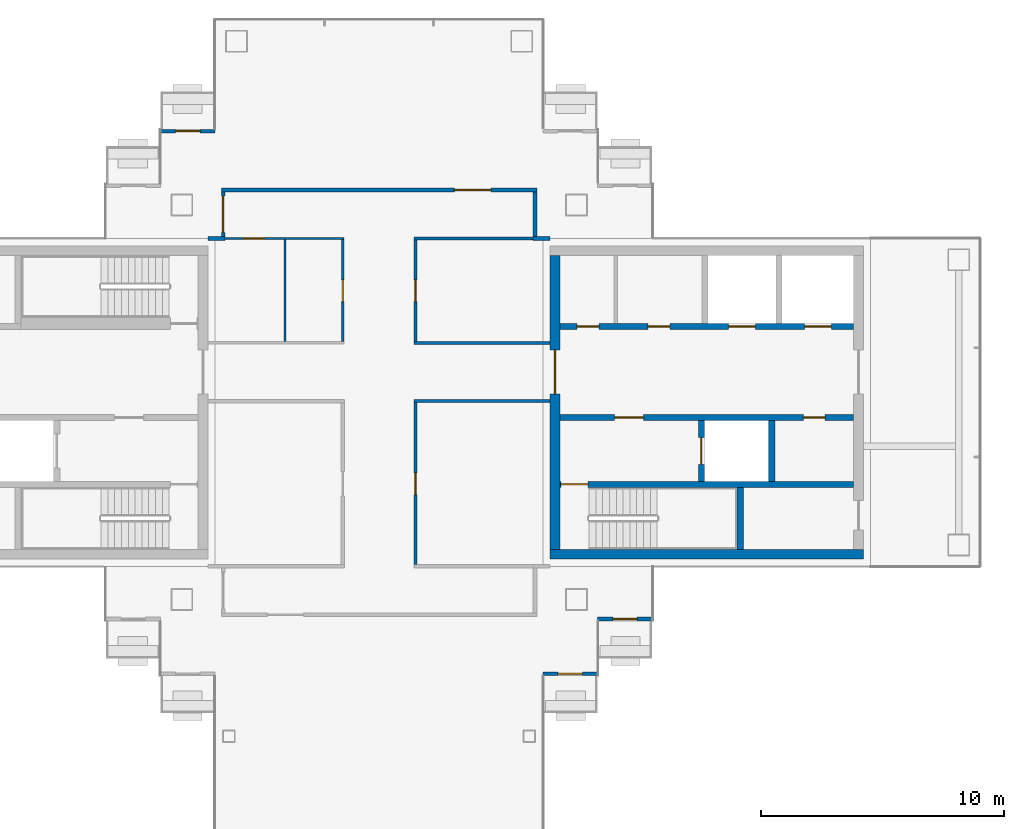
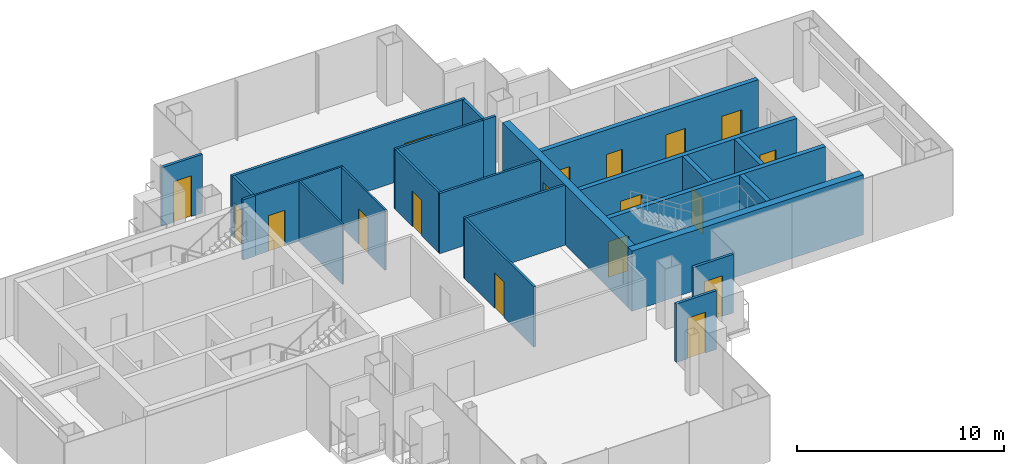
# One storey, part 10 of 17: 24 walls, 18 doors, 18 openings.
"""IFC4 building model written with IfcOpenShell, lengths in metres."""

from ifc_helpers import new_model, si_unit, direction, frame, frame_2d, origin, place, context, subcontext, project, spatial, rectangle, extrude, material, layer, layer_set, type_object, element, fill, save


model = new_model("IFC4")

# Units and contexts
model_context = context("Model", 3, precision=1e-05, world=origin(), true_north=direction((0.0, 1.0)))
body_context = subcontext(model_context, "Body", "Model", "MODEL_VIEW")
ifc_project = project(units=[si_unit("LENGTHUNIT", "METRE"), si_unit("AREAUNIT", "SQUARE_METRE"), si_unit("VOLUMEUNIT", "CUBIC_METRE"), si_unit("PLANEANGLEUNIT", "RADIAN"), si_unit("MASSUNIT", "GRAM", prefix="KILO")], contexts=[model_context])

# Site, building, storey
site_placement = place(None, origin())
site = spatial("IfcSite", under=ifc_project, at=site_placement, CompositionType="ELEMENT")
building_placement = place(site_placement, origin())
building = spatial("IfcBuilding", under=site, at=building_placement, Name="Shamsa Quay Exchange Towers", CompositionType="ELEMENT")
storey_placement = place(building_placement, frame((0.0, 0.0, 249.89990234375)))
storey = spatial("IfcBuildingStorey", under=building, at=storey_placement, Name="L60", CompositionType="ELEMENT", Elevation=249.89990234375)

# Wall, opening, door
ifc_material_1 = material(Name="Aluminium EN AW-6063 T6, black anodised, with black enamelled glass infill", Category="aluminium")
ifc_layer_1 = layer(ifc_material_1, 0.14990234375)
ifc_layer_set_1 = layer_set([ifc_layer_1], Name="BALCONY DOOR BAY WALL 150")
wall_type_1 = type_object("IfcWallType", Name="BALCONY DOOR BAY WALL 150", PredefinedType="SOLIDWALL", material=ifc_layer_set_1)
wall_1_placement = place(storey_placement, frame((-22.5, -8.925048828125, 0.0), z_axis=(0.0, 0.0, 1.0), x_axis=(-1.0, 0.0, 0.0)))
wall_1 = element("IfcWall", 1, at=wall_1_placement, inside=storey, type_object=wall_type_1, Name="Door bay T1-PKES L60", PredefinedType="SOLIDWALL", context=body_context, shape_type="SweptSolid", body=[
    extrude(rectangle(XDim=2.25, YDim=0.14990234375, at=frame_2d((1.125, 0.0))), origin(), (0.0, 0.0, 1.0), 3.4501953125),
])
opening_1_placement = place(wall_1_placement, frame((0.625, 0.0, 0.0)))
opening_1 = element("IfcOpeningElement", 2, at=opening_1_placement, cuts=wall_1, Name="Opening XD403", PredefinedType="OPENING", context=body_context, shape_type="SweptSolid", body=[
    extrude(rectangle(XDim=1.0, YDim=2.39990234375, at=frame_2d((0.5, 1.199951171875))), frame((0.0, 0.0849609375, 0.0), z_axis=(0.0, -1.0, 0.0), x_axis=(1.0, 0.0, 0.0)), (0.0, 0.0, 1.0), 0.169921875),
])
ifc_material_2 = material(Name="Aluminium EN AW-6063 T6, black anodised, with laminated glass leaf", Category="aluminium")
door_type_1 = type_object("IfcDoorType", Name="BALCONY DOOR 1000x2400", OperationType="SINGLE_SWING_LEFT", PredefinedType="DOOR", material=ifc_material_2)
door_1_placement = place(opening_1_placement, origin())
door_1 = element("IfcDoor", 3, at=door_1_placement, inside=storey, type_object=door_type_1, Name="Balcony door T1-PKES L60", OperationType="SINGLE_SWING_RIGHT", OverallHeight=2.39990234375, OverallWidth=1.0, PredefinedType="DOOR", context=body_context, shape_type="SweptSolid", body=[
    extrude(rectangle(XDim=1.0, YDim=2.39990234375, at=frame_2d((0.5, 1.199951171875))), frame((0.0, 0.02490234375, 0.0), z_axis=(0.0, -1.0, 0.0), x_axis=(1.0, 0.0, 0.0)), (0.0, 0.0, 1.0), 0.050048828125),
])
fill(opening_1, door_1)

wall_2_placement = place(storey_placement, frame((-24.75, -11.175048828125, 0.0), z_axis=(0.0, 0.0, 1.0), x_axis=(-1.0, 0.0, 0.0)))
wall_2 = element("IfcWall", 4, at=wall_2_placement, inside=storey, type_object=wall_type_1, Name="Door bay T1-PKES L60", PredefinedType="SOLIDWALL", context=body_context, shape_type="SweptSolid", body=[
    extrude(rectangle(XDim=2.25, YDim=0.14990234375, at=frame_2d((1.125, 0.0))), origin(), (0.0, 0.0, 1.0), 3.4501953125),
])
opening_2_placement = place(wall_2_placement, frame((0.625, 0.0, 0.0)))
opening_2 = element("IfcOpeningElement", 5, at=opening_2_placement, cuts=wall_2, Name="Opening XD404", PredefinedType="OPENING", context=body_context, shape_type="SweptSolid", body=[
    extrude(rectangle(XDim=1.0, YDim=2.39990234375, at=frame_2d((0.5, 1.199951171875))), frame((0.0, 0.0849609375, 0.0), z_axis=(0.0, -1.0, 0.0), x_axis=(1.0, 0.0, 0.0)), (0.0, 0.0, 1.0), 0.169921875),
])
door_2_placement = place(opening_2_placement, origin())
door_2 = element("IfcDoor", 6, at=door_2_placement, inside=storey, type_object=door_type_1, Name="Balcony door T1-PKES L60", OperationType="SINGLE_SWING_LEFT", OverallHeight=2.39990234375, OverallWidth=1.0, PredefinedType="DOOR", context=body_context, shape_type="SweptSolid", body=[
    extrude(rectangle(XDim=1.0, YDim=2.39990234375, at=frame_2d((0.5, 1.199951171875))), frame((0.0, 0.02490234375, 0.0), z_axis=(0.0, -1.0, 0.0), x_axis=(1.0, 0.0, 0.0)), (0.0, 0.0, 1.0), 0.050048828125),
])
fill(opening_2, door_2)

wall_3_placement = place(storey_placement, frame((-42.75, 11.175048828125, 0.0)))
wall_3 = element("IfcWall", 7, at=wall_3_placement, inside=storey, type_object=wall_type_1, Name="Door bay T1-PKWN L60", PredefinedType="SOLIDWALL", context=body_context, shape_type="SweptSolid", body=[
    extrude(rectangle(XDim=2.25, YDim=0.14990234375, at=frame_2d((1.125, 0.0))), origin(), (0.0, 0.0, 1.0), 3.4501953125),
])
opening_3_placement = place(wall_3_placement, frame((0.625, 0.0, 0.0)))
opening_3 = element("IfcOpeningElement", 8, at=opening_3_placement, cuts=wall_3, Name="Opening XD405", PredefinedType="OPENING", context=body_context, shape_type="SweptSolid", body=[
    extrude(rectangle(XDim=1.0, YDim=2.39990234375, at=frame_2d((0.5, 1.199951171875))), frame((0.0, 0.0849609375, 0.0), z_axis=(0.0, -1.0, 0.0), x_axis=(1.0, 0.0, 0.0)), (0.0, 0.0, 1.0), 0.169921875),
])
door_3_placement = place(opening_3_placement, origin())
door_3 = element("IfcDoor", 9, at=door_3_placement, inside=storey, type_object=door_type_1, Name="Balcony door T1-PKWN L60", OperationType="SINGLE_SWING_LEFT", OverallHeight=2.39990234375, OverallWidth=1.0, PredefinedType="DOOR", context=body_context, shape_type="SweptSolid", body=[
    extrude(rectangle(XDim=1.0, YDim=2.39990234375, at=frame_2d((0.5, 1.199951171875))), frame((0.0, 0.02490234375, 0.0), z_axis=(0.0, -1.0, 0.0), x_axis=(1.0, 0.0, 0.0)), (0.0, 0.0, 1.0), 0.050048828125),
])
fill(opening_3, door_3)

# Wall
ifc_material_3 = material(Name="Concrete C60/75", Category="concrete")
ifc_layer_2 = layer(ifc_material_3, 0.39990234375)
ifc_layer_set_2 = layer_set([ifc_layer_2], Name="CORE WALL 400 C60/75")
wall_type_2 = type_object("IfcWallType", Name="CORE WALL 400 C60/75", PredefinedType="SHEAR", material=ifc_layer_set_2)
wall_4_placement = place(storey_placement, frame((-26.699951171875, -6.25, 0.0)))
element("IfcWall", 10, at=wall_4_placement, inside=storey, type_object=wall_type_2, Name="Core wall T1A-R27-PS", PredefinedType="SHEAR", context=body_context, shape_type="SweptSolid", body=[
    extrude(rectangle(XDim=12.89990234375, YDim=0.39990234375, at=frame_2d((6.449951171875, 0.0))), origin(), (0.0, 0.0, 1.0), 3.550048828125),
])

# Wall, opening, door
wall_5_placement = place(storey_placement, frame((-26.5, 6.050048828125, 0.0), z_axis=(0.0, 0.0, 1.0), x_axis=(0.0, -1.0, 0.0)))
wall_5 = element("IfcWall", 11, at=wall_5_placement, inside=storey, type_object=wall_type_2, Name="Core wall T1A-R27-PF", PredefinedType="SHEAR", context=body_context, shape_type="SweptSolid", body=[
    extrude(rectangle(XDim=12.10009765625, YDim=0.39990234375, at=frame_2d((6.050048828125, 0.0))), origin(), (0.0, 0.0, 1.0), 3.550048828125),
])
opening_4_placement = place(wall_5_placement, frame((3.89990234375, 0.0, 0.0)))
opening_4 = element("IfcOpeningElement", 12, at=opening_4_placement, cuts=wall_5, Name="Opening T1A-R27-LBD01", PredefinedType="OPENING", context=body_context, shape_type="SweptSolid", body=[
    extrude(rectangle(XDim=1.800048828125, YDim=2.39990234375, at=frame_2d((0.89990234375, 1.199951171875))), frame((0.0, 0.2099609375, 0.0), z_axis=(0.0, -1.0, 0.0), x_axis=(1.0, 0.0, 0.0)), (0.0, 0.0, 1.0), 0.419921875),
])
ifc_material_4 = material(Name="Steel, fire rated", Category="steel")
door_type_2 = type_object("IfcDoorType", Name="LIFT LOBBY DOOR PAIR 1800", OperationType="DOUBLE_DOOR_SINGLE_SWING", PredefinedType="DOOR", material=ifc_material_4)
door_4_placement = place(opening_4_placement, origin())
door_4 = element("IfcDoor", 13, at=door_4_placement, inside=storey, type_object=door_type_2, Name="T1A-R27-LBD01", OperationType="DOUBLE_DOOR_SINGLE_SWING", OverallHeight=2.39990234375, OverallWidth=1.800048828125, PredefinedType="DOOR", context=body_context, shape_type="SweptSolid", body=[
    extrude(rectangle(XDim=1.800048828125, YDim=2.39990234375, at=frame_2d((0.89990234375, 1.199951171875))), frame((0.0, 0.02490234375, 0.0), z_axis=(0.0, -1.0, 0.0), x_axis=(1.0, 0.0, 0.0)), (0.0, 0.0, 1.0), 0.050048828125),
])
fill(opening_4, door_4)

# Wall
ifc_material_5 = material(Name="Laminated fire-resisting glass in a metal frame", Category="glass")
ifc_layer_3 = layer(ifc_material_5, 0.125)
ifc_layer_set_3 = layer_set([ifc_layer_3], Name="Glazed partition 125 mm EI 60")
wall_type_3 = type_object("IfcWallType", Name="Glazed partition 125 mm EI 60", PredefinedType="PARTITIONING", material=ifc_layer_set_3)
wall_6_placement = place(storey_placement, frame((-27.250244140625, 6.75, 0.0), z_axis=(0.0, 0.0, 1.0), x_axis=(-1.0, 0.0, 0.0)))
element("IfcWall", 14, at=wall_6_placement, inside=storey, type_object=wall_type_3, Name="Partition T1-R27-W01", PredefinedType="PARTITIONING", context=body_context, shape_type="SweptSolid", body=[
    extrude(rectangle(XDim=5.062255859375, YDim=0.125, at=frame_2d((2.53125, 0.0))), origin(), (0.0, 0.0, 1.0), 3.550048828125),
])

# Wall, opening, door
wall_7_placement = place(storey_placement, frame((-32.25, 6.6875, 0.0), z_axis=(0.0, 0.0, 1.0), x_axis=(0.0, -1.0, 0.0)))
wall_7 = element("IfcWall", 15, at=wall_7_placement, inside=storey, type_object=wall_type_3, Name="Partition T1-R27-W02", PredefinedType="PARTITIONING", context=body_context, shape_type="SweptSolid", body=[
    extrude(rectangle(XDim=4.1748046875, YDim=0.125, at=frame_2d((2.08740234375, 0.0))), origin(), (0.0, 0.0, 1.0), 3.550048828125),
])
opening_5_placement = place(wall_7_placement, frame((1.637451171875, 0.0, 0.0)))
opening_5 = element("IfcOpeningElement", 16, at=opening_5_placement, cuts=wall_7, Name="Opening T1-R27-D08", PredefinedType="OPENING", context=body_context, shape_type="SweptSolid", body=[
    extrude(rectangle(XDim=0.89990234375, YDim=2.10009765625, at=frame_2d((0.449951171875, 1.050048828125))), frame((0.0, 0.072509765625, 0.0), z_axis=(0.0, -1.0, 0.0), x_axis=(1.0, 0.0, 0.0)), (0.0, 0.0, 1.0), 0.14501953125),
])
ifc_material_6 = material(Name="Timber door leaf in a metal frame", Category="wood")
door_type_3 = type_object("IfcDoorType", Name="Door 900x2100 FD30S", OperationType="NOTDEFINED", PredefinedType="DOOR", material=ifc_material_6)
door_5_placement = place(opening_5_placement, origin())
door_5 = element("IfcDoor", 17, at=door_5_placement, inside=storey, type_object=door_type_3, Name="Door T1-R27-D08", OperationType="SINGLE_SWING_LEFT", OverallHeight=2.10009765625, OverallWidth=0.89990234375, PredefinedType="DOOR", context=body_context, shape_type="SweptSolid", body=[
    extrude(rectangle(XDim=0.89990234375, YDim=2.10009765625, at=frame_2d((0.449951171875, 1.050048828125))), frame((0.0, 0.02490234375, 0.0), z_axis=(0.0, -1.0, 0.0), x_axis=(1.0, 0.0, 0.0)), (0.0, 0.0, 1.0), 0.050048828125),
])
fill(opening_5, door_5)

wall_8_placement = place(storey_placement, frame((-32.25, -0.0126953125, 0.0), z_axis=(0.0, 0.0, 1.0), x_axis=(0.0, -1.0, 0.0)))
wall_8 = element("IfcWall", 18, at=wall_8_placement, inside=storey, type_object=wall_type_3, Name="Partition T1-R27-W03", PredefinedType="PARTITIONING", context=body_context, shape_type="SweptSolid", body=[
    extrude(rectangle(XDim=6.6748046875, YDim=0.125, at=frame_2d((3.33740234375, 0.0))), origin(), (0.0, 0.0, 1.0), 3.550048828125),
])
opening_6_placement = place(wall_8_placement, frame((2.887451171875, 0.0, 0.0)))
opening_6 = element("IfcOpeningElement", 19, at=opening_6_placement, cuts=wall_8, Name="Opening T1-R27-D07", PredefinedType="OPENING", context=body_context, shape_type="SweptSolid", body=[
    extrude(rectangle(XDim=0.89990234375, YDim=2.10009765625, at=frame_2d((0.449951171875, 1.050048828125))), frame((0.0, 0.072509765625, 0.0), z_axis=(0.0, -1.0, 0.0), x_axis=(1.0, 0.0, 0.0)), (0.0, 0.0, 1.0), 0.14501953125),
])
door_6_placement = place(opening_6_placement, origin())
door_6 = element("IfcDoor", 20, at=door_6_placement, inside=storey, type_object=door_type_3, Name="Door T1-R27-D07", OperationType="SINGLE_SWING_LEFT", OverallHeight=2.10009765625, OverallWidth=0.89990234375, PredefinedType="DOOR", context=body_context, shape_type="SweptSolid", body=[
    extrude(rectangle(XDim=0.89990234375, YDim=2.10009765625, at=frame_2d((0.449951171875, 1.050048828125))), frame((0.0, 0.02490234375, 0.0), z_axis=(0.0, -1.0, 0.0), x_axis=(1.0, 0.0, 0.0)), (0.0, 0.0, 1.0), 0.050048828125),
])
fill(opening_6, door_6)

# Walls
wall_9_placement = place(storey_placement, frame((-32.3125, 2.4501953125, 0.0)))
element("IfcWall", 21, at=wall_9_placement, inside=storey, type_object=wall_type_3, Name="Partition T1-R27-W04", PredefinedType="PARTITIONING", context=body_context, shape_type="SweptSolid", body=[
    extrude(rectangle(XDim=5.612548828125, YDim=0.125, at=frame_2d((2.80615234375, 0.0))), origin(), (0.0, 0.0, 1.0), 3.550048828125),
])
wall_10_placement = place(storey_placement, frame((-26.699951171875, 0.0498046875, 0.0), z_axis=(0.0, 0.0, 1.0), x_axis=(-1.0, 0.0, 0.0)))
element("IfcWall", 22, at=wall_10_placement, inside=storey, type_object=wall_type_3, Name="Partition T1-R27-W05", PredefinedType="PARTITIONING", context=body_context, shape_type="SweptSolid", body=[
    extrude(rectangle(XDim=5.612548828125, YDim=0.125, at=frame_2d((2.80615234375, 0.0))), origin(), (0.0, 0.0, 1.0), 3.550048828125),
])

# Wall, opening, door
ifc_material_7 = material(Name="Gypsum board partition on metal studs")
ifc_layer_4 = layer(ifc_material_7, 0.10009765625)
ifc_layer_set_4 = layer_set([ifc_layer_4], Name="Partition 100 mm NOT RATED")
wall_type_4 = type_object("IfcWallType", Name="Partition 100 mm NOT RATED", PredefinedType="PARTITIONING", material=ifc_layer_set_4)
wall_11_placement = place(storey_placement, frame((-35.199951171875, 6.75, 0.0), z_axis=(0.0, 0.0, 1.0), x_axis=(-1.0, 0.0, 0.0)))
wall_11 = element("IfcWall", 23, at=wall_11_placement, inside=storey, type_object=wall_type_4, Name="Partition T1-R27-W08", PredefinedType="PARTITIONING", context=body_context, shape_type="SweptSolid", body=[
    extrude(rectangle(XDim=5.0498046875, YDim=0.10009765625, at=frame_2d((2.52490234375, 0.0))), origin(), (0.0, 0.0, 1.0), 3.550048828125),
])
opening_7_placement = place(wall_11_placement, frame((3.25, 0.0, 0.0)))
opening_7 = element("IfcOpeningElement", 24, at=opening_7_placement, cuts=wall_11, Name="Opening T1-R27-D06", PredefinedType="OPENING", context=body_context, shape_type="SweptSolid", body=[
    extrude(rectangle(XDim=0.89990234375, YDim=2.10009765625, at=frame_2d((0.449951171875, 1.050048828125))), frame((0.0, 0.06005859375, 0.0), z_axis=(0.0, -1.0, 0.0), x_axis=(1.0, 0.0, 0.0)), (0.0, 0.0, 1.0), 0.1201171875),
])
door_type_4 = type_object("IfcDoorType", Name="Door 900x2100 NOT RATED", OperationType="NOTDEFINED", PredefinedType="DOOR", material=ifc_material_6)
door_7_placement = place(opening_7_placement, origin())
door_7 = element("IfcDoor", 25, at=door_7_placement, inside=storey, type_object=door_type_4, Name="Door T1-R27-D06", OperationType="SINGLE_SWING_LEFT", OverallHeight=2.10009765625, OverallWidth=0.89990234375, PredefinedType="DOOR", context=body_context, shape_type="SweptSolid", body=[
    extrude(rectangle(XDim=0.89990234375, YDim=2.10009765625, at=frame_2d((0.449951171875, 1.050048828125))), frame((0.0, 0.02490234375, 0.0), z_axis=(0.0, -1.0, 0.0), x_axis=(1.0, 0.0, 0.0)), (0.0, 0.0, 1.0), 0.050048828125),
])
fill(opening_7, door_7)

wall_12_placement = place(storey_placement, frame((-35.25, 2.500244140625, 0.0), z_axis=(0.0, 0.0, 1.0), x_axis=(0.0, 1.0, 0.0)))
wall_12 = element("IfcWall", 26, at=wall_12_placement, inside=storey, type_object=wall_type_4, Name="Partition T1-R27-W09", PredefinedType="PARTITIONING", context=body_context, shape_type="SweptSolid", body=[
    extrude(rectangle(XDim=4.19970703125, YDim=0.10009765625, at=frame_2d((2.099853515625, 0.0))), origin(), (0.0, 0.0, 1.0), 3.550048828125),
])
opening_8_placement = place(wall_12_placement, frame((1.64990234375, 0.0, 0.0)))
opening_8 = element("IfcOpeningElement", 27, at=opening_8_placement, cuts=wall_12, Name="Opening T1-R27-D05", PredefinedType="OPENING", context=body_context, shape_type="SweptSolid", body=[
    extrude(rectangle(XDim=0.89990234375, YDim=2.10009765625, at=frame_2d((0.449951171875, 1.050048828125))), frame((0.0, 0.06005859375, 0.0), z_axis=(0.0, -1.0, 0.0), x_axis=(1.0, 0.0, 0.0)), (0.0, 0.0, 1.0), 0.1201171875),
])
door_8_placement = place(opening_8_placement, origin())
door_8 = element("IfcDoor", 28, at=door_8_placement, inside=storey, type_object=door_type_4, Name="Door T1-R27-D05", OperationType="SINGLE_SWING_RIGHT", OverallHeight=2.10009765625, OverallWidth=0.89990234375, PredefinedType="DOOR", context=body_context, shape_type="SweptSolid", body=[
    extrude(rectangle(XDim=0.89990234375, YDim=2.10009765625, at=frame_2d((0.449951171875, 1.050048828125))), frame((0.0, 0.02490234375, 0.0), z_axis=(0.0, -1.0, 0.0), x_axis=(1.0, 0.0, 0.0)), (0.0, 0.0, 1.0), 0.050048828125),
])
fill(opening_8, door_8)

# Wall
wall_13_placement = place(storey_placement, frame((-37.625, 2.500244140625, 0.0), z_axis=(0.0, 0.0, 1.0), x_axis=(0.0, 1.0, 0.0)))
element("IfcWall", 29, at=wall_13_placement, inside=storey, type_object=wall_type_4, Name="Partition T1-R27-W22", PredefinedType="PARTITIONING", context=body_context, shape_type="SweptSolid", body=[
    extrude(rectangle(XDim=4.19970703125, YDim=0.10009765625, at=frame_2d((2.099853515625, 0.0))), origin(), (0.0, 0.0, 1.0), 3.550048828125),
])

# Wall, opening, door
ifc_layer_5 = layer(ifc_material_7, 0.14990234375)
ifc_layer_set_5 = layer_set([ifc_layer_5], Name="Partition 150 mm EI 60")
wall_type_5 = type_object("IfcWallType", Name="Partition 150 mm EI 60", PredefinedType="PARTITIONING", material=ifc_layer_set_5)
wall_14_placement = place(storey_placement, frame((-40.1748046875, 8.675048828125, 0.0), z_axis=(0.0, 0.0, 1.0), x_axis=(0.0, -1.0, 0.0)))
wall_14 = element("IfcWall", 30, at=wall_14_placement, inside=storey, type_object=wall_type_5, Name="Partition T1-R27-W14", PredefinedType="PARTITIONING", context=body_context, shape_type="SweptSolid", body=[
    extrude(rectangle(XDim=1.85009765625, YDim=0.14990234375, at=frame_2d((0.925048828125, 0.0))), origin(), (0.0, 0.0, 1.0), 3.550048828125),
])
opening_9_placement = place(wall_14_placement, frame((0.175048828125, 0.0, 0.0)))
opening_9 = element("IfcOpeningElement", 31, at=opening_9_placement, cuts=wall_14, Name="Opening T1-R27-D03", PredefinedType="OPENING", context=body_context, shape_type="SweptSolid", body=[
    extrude(rectangle(XDim=1.5, YDim=2.10009765625, at=frame_2d((0.75, 1.050048828125))), frame((0.0, 0.0849609375, 0.0), z_axis=(0.0, -1.0, 0.0), x_axis=(1.0, 0.0, 0.0)), (0.0, 0.0, 1.0), 0.169921875),
])
door_type_5 = type_object("IfcDoorType", Name="Door 1500x2100 FD30S pair", OperationType="NOTDEFINED", PredefinedType="DOOR", material=ifc_material_6)
door_9_placement = place(opening_9_placement, origin())
door_9 = element("IfcDoor", 32, at=door_9_placement, inside=storey, type_object=door_type_5, Name="Door T1-R27-D03", OperationType="DOUBLE_DOOR_SINGLE_SWING", OverallHeight=2.10009765625, OverallWidth=1.5, PredefinedType="DOOR", context=body_context, shape_type="SweptSolid", body=[
    extrude(rectangle(XDim=1.5, YDim=2.10009765625, at=frame_2d((0.75, 1.050048828125))), frame((0.0, 0.02490234375, 0.0), z_axis=(0.0, -1.0, 0.0), x_axis=(1.0, 0.0, 0.0)), (0.0, 0.0, 1.0), 0.050048828125),
])
fill(opening_9, door_9)

wall_15_placement = place(storey_placement, frame((-27.250244140625, 8.75, 0.0), z_axis=(0.0, 0.0, 1.0), x_axis=(-1.0, 0.0, 0.0)))
wall_15 = element("IfcWall", 33, at=wall_15_placement, inside=storey, type_object=wall_type_5, Name="Partition T1-R27-W16", PredefinedType="PARTITIONING", context=body_context, shape_type="SweptSolid", body=[
    extrude(rectangle(XDim=12.99951171875, YDim=0.14990234375, at=frame_2d((6.499755859375, 0.0))), origin(), (0.0, 0.0, 1.0), 3.550048828125),
])
opening_10_placement = place(wall_15_placement, frame((1.89501953125, 0.0, 0.0)))
opening_10 = element("IfcOpeningElement", 34, at=opening_10_placement, cuts=wall_15, Name="Opening T1-R27-D09", PredefinedType="OPENING", context=body_context, shape_type="SweptSolid", body=[
    extrude(rectangle(XDim=1.5, YDim=2.10009765625, at=frame_2d((0.75, 1.050048828125))), frame((0.0, 0.0849609375, 0.0), z_axis=(0.0, -1.0, 0.0), x_axis=(1.0, 0.0, 0.0)), (0.0, 0.0, 1.0), 0.169921875),
])
door_10_placement = place(opening_10_placement, origin())
door_10 = element("IfcDoor", 35, at=door_10_placement, inside=storey, type_object=door_type_5, Name="Door T1-R27-D09", OperationType="DOUBLE_DOOR_SINGLE_SWING", OverallHeight=2.10009765625, OverallWidth=1.5, PredefinedType="DOOR", context=body_context, shape_type="SweptSolid", body=[
    extrude(rectangle(XDim=1.5, YDim=2.10009765625, at=frame_2d((0.75, 1.050048828125))), frame((0.0, 0.02490234375, 0.0), z_axis=(0.0, -1.0, 0.0), x_axis=(1.0, 0.0, 0.0)), (0.0, 0.0, 1.0), 0.050048828125),
])
fill(opening_10, door_10)

# Walls
wall_16_placement = place(storey_placement, frame((-27.3251953125, 6.824951171875, 0.0), z_axis=(0.0, 0.0, 1.0), x_axis=(0.0, 1.0, 0.0)))
element("IfcWall", 36, at=wall_16_placement, inside=storey, type_object=wall_type_5, Name="Partition T1-R27-W18", PredefinedType="PARTITIONING", context=body_context, shape_type="SweptSolid", body=[
    extrude(rectangle(XDim=1.85009765625, YDim=0.14990234375, at=frame_2d((0.925048828125, 0.0))), origin(), (0.0, 0.0, 1.0), 3.550048828125),
])
for number, where, z_axis, x_axis, name in (
    (37, (-26.699951171875, 6.75, 0.0), (0.0, 0.0, 1.0), (-1.0, 0.0, 0.0), "Partition T1-R27-W20"),
    (38, (-40.099853515625, 6.75, 0.0), (0.0, 0.0, 1.0), (-1.0, 0.0, 0.0), "Partition T1-R27-W21"),
):
    element("IfcWall", number, at=place(storey_placement, frame(where, z_axis=z_axis, x_axis=x_axis)), inside=storey, type_object=wall_type_5, Name=name, PredefinedType="PARTITIONING", context=body_context, shape_type="SweptSolid", body=[
        extrude(rectangle(XDim=0.7001953125, YDim=0.14990234375, at=frame_2d((0.35009765625, 0.0))), origin(), (0.0, 0.0, 1.0), 3.550048828125),
    ])

# Wall, opening, door
ifc_material_8 = material(Name="Concrete C50/60", Category="concrete")
ifc_layer_6 = layer(ifc_material_8, 0.25)
ifc_layer_set_6 = layer_set([ifc_layer_6], Name="SHAFT WALL 250 C50/60")
wall_type_6 = type_object("IfcWallType", Name="SHAFT WALL 250 C50/60", PredefinedType="SHEAR", material=ifc_layer_set_6)
wall_17_placement = place(storey_placement, frame((-14.199951171875, -3.375, 0.0), z_axis=(0.0, 0.0, 1.0), x_axis=(-1.0, 0.0, 0.0)))
wall_17 = element("IfcWall", 39, at=wall_17_placement, inside=storey, type_object=wall_type_6, Name="Shaft wall T1A-R27-STL", PredefinedType="SHEAR", context=body_context, shape_type="SweptSolid", body=[
    extrude(rectangle(XDim=12.10009765625, YDim=0.25, at=frame_2d((6.050048828125, 0.0))), origin(), (0.0, 0.0, 1.0), 3.550048828125),
])
opening_11_placement = place(wall_17_placement, frame((10.949951171875, 0.0, 0.0)))
opening_11 = element("IfcOpeningElement", 40, at=opening_11_placement, cuts=wall_17, Name="Opening T1A-R27-SD04", PredefinedType="OPENING", context=body_context, shape_type="SweptSolid", body=[
    extrude(rectangle(XDim=1.10009765625, YDim=2.10009765625, at=frame_2d((0.550048828125, 1.050048828125))), frame((0.0, 0.135009765625, 0.0), z_axis=(0.0, -1.0, 0.0), x_axis=(1.0, 0.0, 0.0)), (0.0, 0.0, 1.0), 0.27001953125),
])
door_type_6 = type_object("IfcDoorType", Name="STAIR DOOR 1100", OperationType="SINGLE_SWING_LEFT", PredefinedType="DOOR", material=ifc_material_4)
door_11_placement = place(opening_11_placement, origin())
door_11 = element("IfcDoor", 41, at=door_11_placement, inside=storey, type_object=door_type_6, Name="T1A-R27-SD04", OperationType="SINGLE_SWING_RIGHT", OverallHeight=2.10009765625, OverallWidth=1.10009765625, PredefinedType="DOOR", context=body_context, shape_type="SweptSolid", body=[
    extrude(rectangle(XDim=1.10009765625, YDim=2.10009765625, at=frame_2d((0.550048828125, 1.050048828125))), frame((0.0, 0.02490234375, 0.0), z_axis=(0.0, -1.0, 0.0), x_axis=(1.0, 0.0, 0.0)), (0.0, 0.0, 1.0), 0.050048828125),
])
fill(opening_11, door_11)

# Wall
wall_18_placement = place(storey_placement, frame((-18.875, -6.050048828125, 0.0), z_axis=(0.0, 0.0, 1.0), x_axis=(0.0, 1.0, 0.0)))
element("IfcWall", 42, at=wall_18_placement, inside=storey, type_object=wall_type_6, Name="Shaft wall T1A-R27-STF", PredefinedType="SHEAR", context=body_context, shape_type="SweptSolid", body=[
    extrude(rectangle(XDim=2.550048828125, YDim=0.25, at=frame_2d((1.27490234375, 0.0))), origin(), (0.0, 0.0, 1.0), 3.550048828125),
])

# Wall, openings, doors
wall_19_placement = place(storey_placement, frame((-14.199951171875, -0.625, 0.0), z_axis=(0.0, 0.0, 1.0), x_axis=(-1.0, 0.0, 0.0)))
wall_19 = element("IfcWall", 43, at=wall_19_placement, inside=storey, type_object=wall_type_6, Name="Shaft wall T1A-R27-B", PredefinedType="SHEAR", context=body_context, shape_type="SweptSolid", body=[
    extrude(rectangle(XDim=12.10009765625, YDim=0.25, at=frame_2d((6.050048828125, 0.0))), origin(), (0.0, 0.0, 1.0), 3.550048828125),
])
opening_12_placement = place(wall_19_placement, frame((8.64990234375, 0.0, 0.0)))
opening_12 = element("IfcOpeningElement", 44, at=opening_12_placement, cuts=wall_19, Name="Opening T1A-R27-FD05", PredefinedType="OPENING", context=body_context, shape_type="SweptSolid", body=[
    extrude(rectangle(XDim=1.199951171875, YDim=2.10009765625, at=frame_2d((0.60009765625, 1.050048828125))), frame((0.0, 0.135009765625, 0.0), z_axis=(0.0, -1.0, 0.0), x_axis=(1.0, 0.0, 0.0)), (0.0, 0.0, 1.0), 0.27001953125),
])
opening_13_placement = place(wall_19_placement, frame((1.175048828125, 0.0, 0.0)))
opening_13 = element("IfcOpeningElement", 45, at=opening_13_placement, cuts=wall_19, Name="Opening T1A-R27-SV06", PredefinedType="OPENING", context=body_context, shape_type="SweptSolid", body=[
    extrude(rectangle(XDim=0.89990234375, YDim=2.10009765625, at=frame_2d((0.449951171875, 1.050048828125))), frame((0.0, 0.135009765625, 0.0), z_axis=(0.0, -1.0, 0.0), x_axis=(1.0, 0.0, 0.0)), (0.0, 0.0, 1.0), 0.27001953125),
])
door_type_7 = type_object("IfcDoorType", Name="FIRE SERVICE LOBBY DOOR 1200", OperationType="SINGLE_SWING_LEFT", PredefinedType="DOOR", material=ifc_material_4)
door_12_placement = place(opening_12_placement, origin())
door_12 = element("IfcDoor", 46, at=door_12_placement, inside=storey, type_object=door_type_7, Name="T1A-R27-FD05", OperationType="SINGLE_SWING_RIGHT", OverallHeight=2.10009765625, OverallWidth=1.199951171875, PredefinedType="DOOR", context=body_context, shape_type="SweptSolid", body=[
    extrude(rectangle(XDim=1.199951171875, YDim=2.10009765625, at=frame_2d((0.60009765625, 1.050048828125))), frame((0.0, 0.02490234375, 0.0), z_axis=(0.0, -1.0, 0.0), x_axis=(1.0, 0.0, 0.0)), (0.0, 0.0, 1.0), 0.050048828125),
])
fill(opening_12, door_12)
door_type_8 = type_object("IfcDoorType", Name="SERVICE ROOM DOOR 900", OperationType="SINGLE_SWING_LEFT", PredefinedType="DOOR", material=ifc_material_4)
door_13_placement = place(opening_13_placement, origin())
door_13 = element("IfcDoor", 47, at=door_13_placement, inside=storey, type_object=door_type_8, Name="T1A-R27-SV06", OperationType="SINGLE_SWING_LEFT", OverallHeight=2.10009765625, OverallWidth=0.89990234375, PredefinedType="DOOR", context=body_context, shape_type="SweptSolid", body=[
    extrude(rectangle(XDim=0.89990234375, YDim=2.10009765625, at=frame_2d((0.449951171875, 1.050048828125))), frame((0.0, 0.02490234375, 0.0), z_axis=(0.0, -1.0, 0.0), x_axis=(1.0, 0.0, 0.0)), (0.0, 0.0, 1.0), 0.050048828125),
])
fill(opening_13, door_13)

# Wall, opening, door
wall_20_placement = place(storey_placement, frame((-20.47509765625, -3.25, 0.0), z_axis=(0.0, 0.0, 1.0), x_axis=(0.0, 1.0, 0.0)))
wall_20 = element("IfcWall", 48, at=wall_20_placement, inside=storey, type_object=wall_type_6, Name="Shaft wall T1A-R27-FFF", PredefinedType="SHEAR", context=body_context, shape_type="SweptSolid", body=[
    extrude(rectangle(XDim=2.5, YDim=0.25, at=frame_2d((1.25, 0.0))), origin(), (0.0, 0.0, 1.0), 3.550048828125),
])
opening_14_placement = place(wall_20_placement, frame((0.699951171875, 0.0, 0.0)))
opening_14 = element("IfcOpeningElement", 49, at=opening_14_placement, cuts=wall_20, Name="Opening T1A-R27-LDF07", PredefinedType="OPENING", context=body_context, shape_type="SweptSolid", body=[
    extrude(rectangle(XDim=1.10009765625, YDim=2.10009765625, at=frame_2d((0.550048828125, 1.050048828125))), frame((0.0, 0.135009765625, 0.0), z_axis=(0.0, -1.0, 0.0), x_axis=(1.0, 0.0, 0.0)), (0.0, 0.0, 1.0), 0.27001953125),
])
door_type_9 = type_object("IfcDoorType", Name="FIRE SERVICE LANDING DOOR 1100", OperationType="SLIDING_TO_LEFT", PredefinedType="DOOR", material=ifc_material_4)
door_14_placement = place(opening_14_placement, origin())
door_14 = element("IfcDoor", 50, at=door_14_placement, inside=storey, type_object=door_type_9, Name="T1A-R27-LDF07", OperationType="SLIDING_TO_LEFT", OverallHeight=2.10009765625, OverallWidth=1.10009765625, PredefinedType="DOOR", context=body_context, shape_type="SweptSolid", body=[
    extrude(rectangle(XDim=1.10009765625, YDim=2.10009765625, at=frame_2d((0.550048828125, 1.050048828125))), frame((0.0, 0.02490234375, 0.0), z_axis=(0.0, -1.0, 0.0), x_axis=(1.0, 0.0, 0.0)), (0.0, 0.0, 1.0), 0.050048828125),
])
fill(opening_14, door_14)

# Wall
wall_21_placement = place(storey_placement, frame((-17.574951171875, -3.25, 0.0), z_axis=(0.0, 0.0, 1.0), x_axis=(0.0, 1.0, 0.0)))
element("IfcWall", 51, at=wall_21_placement, inside=storey, type_object=wall_type_6, Name="Shaft wall T1A-R27-FFB", PredefinedType="SHEAR", context=body_context, shape_type="SweptSolid", body=[
    extrude(rectangle(XDim=2.5, YDim=0.25, at=frame_2d((1.25, 0.0))), origin(), (0.0, 0.0, 1.0), 3.550048828125),
])

# Wall, openings, doors
wall_22_placement = place(storey_placement, frame((-26.300048828125, 3.125, 0.0)))
wall_22 = element("IfcWall", 52, at=wall_22_placement, inside=storey, type_object=wall_type_6, Name="Shaft wall T1A-R27-N", PredefinedType="SHEAR", context=body_context, shape_type="SweptSolid", body=[
    extrude(rectangle(XDim=12.10009765625, YDim=0.25, at=frame_2d((6.050048828125, 0.0))), origin(), (0.0, 0.0, 1.0), 3.550048828125),
])
opening_15_placement = place(wall_22_placement, frame((6.949951171875, 0.0, 0.0)))
opening_15 = element("IfcOpeningElement", 53, at=opening_15_placement, cuts=wall_22, Name="Opening T1A-R27-LD08", PredefinedType="OPENING", context=body_context, shape_type="SweptSolid", body=[
    extrude(rectangle(XDim=1.10009765625, YDim=2.10009765625, at=frame_2d((0.550048828125, 1.050048828125))), frame((0.0, 0.135009765625, 0.0), z_axis=(0.0, -1.0, 0.0), x_axis=(1.0, 0.0, 0.0)), (0.0, 0.0, 1.0), 0.27001953125),
])
opening_16_placement = place(wall_22_placement, frame((10.074951171875, 0.0, 0.0)))
opening_16 = element("IfcOpeningElement", 54, at=opening_16_placement, cuts=wall_22, Name="Opening T1A-R27-LD09", PredefinedType="OPENING", context=body_context, shape_type="SweptSolid", body=[
    extrude(rectangle(XDim=1.10009765625, YDim=2.10009765625, at=frame_2d((0.550048828125, 1.050048828125))), frame((0.0, 0.135009765625, 0.0), z_axis=(0.0, -1.0, 0.0), x_axis=(1.0, 0.0, 0.0)), (0.0, 0.0, 1.0), 0.27001953125),
])
opening_17_placement = place(wall_22_placement, frame((0.699951171875, 0.0, 0.0)))
opening_17 = element("IfcOpeningElement", 55, at=opening_17_placement, cuts=wall_22, Name="Opening T1A-R27-SV10", PredefinedType="OPENING", context=body_context, shape_type="SweptSolid", body=[
    extrude(rectangle(XDim=0.89990234375, YDim=2.10009765625, at=frame_2d((0.449951171875, 1.050048828125))), frame((0.0, 0.135009765625, 0.0), z_axis=(0.0, -1.0, 0.0), x_axis=(1.0, 0.0, 0.0)), (0.0, 0.0, 1.0), 0.27001953125),
])
opening_18_placement = place(wall_22_placement, frame((3.625, 0.0, 0.0)))
opening_18 = element("IfcOpeningElement", 56, at=opening_18_placement, cuts=wall_22, Name="Opening T1A-R27-SV11", PredefinedType="OPENING", context=body_context, shape_type="SweptSolid", body=[
    extrude(rectangle(XDim=0.89990234375, YDim=2.10009765625, at=frame_2d((0.449951171875, 1.050048828125))), frame((0.0, 0.135009765625, 0.0), z_axis=(0.0, -1.0, 0.0), x_axis=(1.0, 0.0, 0.0)), (0.0, 0.0, 1.0), 0.27001953125),
])
door_type_10 = type_object("IfcDoorType", Name="LANDING DOOR 1100", OperationType="SLIDING_TO_LEFT", PredefinedType="DOOR", material=ifc_material_4)
door_15_placement = place(opening_15_placement, origin())
door_15 = element("IfcDoor", 57, at=door_15_placement, inside=storey, type_object=door_type_10, Name="T1A-R27-LD08", OperationType="SLIDING_TO_LEFT", OverallHeight=2.10009765625, OverallWidth=1.10009765625, PredefinedType="DOOR", context=body_context, shape_type="SweptSolid", body=[
    extrude(rectangle(XDim=1.10009765625, YDim=2.10009765625, at=frame_2d((0.550048828125, 1.050048828125))), frame((0.0, 0.02490234375, 0.0), z_axis=(0.0, -1.0, 0.0), x_axis=(1.0, 0.0, 0.0)), (0.0, 0.0, 1.0), 0.050048828125),
])
fill(opening_15, door_15)
door_16_placement = place(opening_16_placement, origin())
door_16 = element("IfcDoor", 58, at=door_16_placement, inside=storey, type_object=door_type_10, Name="T1A-R27-LD09", OperationType="SLIDING_TO_LEFT", OverallHeight=2.10009765625, OverallWidth=1.10009765625, PredefinedType="DOOR", context=body_context, shape_type="SweptSolid", body=[
    extrude(rectangle(XDim=1.10009765625, YDim=2.10009765625, at=frame_2d((0.550048828125, 1.050048828125))), frame((0.0, 0.02490234375, 0.0), z_axis=(0.0, -1.0, 0.0), x_axis=(1.0, 0.0, 0.0)), (0.0, 0.0, 1.0), 0.050048828125),
])
fill(opening_16, door_16)
door_17_placement = place(opening_17_placement, origin())
door_17 = element("IfcDoor", 59, at=door_17_placement, inside=storey, type_object=door_type_8, Name="T1A-R27-SV10", OperationType="SINGLE_SWING_LEFT", OverallHeight=2.10009765625, OverallWidth=0.89990234375, PredefinedType="DOOR", context=body_context, shape_type="SweptSolid", body=[
    extrude(rectangle(XDim=0.89990234375, YDim=2.10009765625, at=frame_2d((0.449951171875, 1.050048828125))), frame((0.0, 0.02490234375, 0.0), z_axis=(0.0, -1.0, 0.0), x_axis=(1.0, 0.0, 0.0)), (0.0, 0.0, 1.0), 0.050048828125),
])
fill(opening_17, door_17)
door_18_placement = place(opening_18_placement, origin())
door_18 = element("IfcDoor", 60, at=door_18_placement, inside=storey, type_object=door_type_8, Name="T1A-R27-SV11", OperationType="SINGLE_SWING_LEFT", OverallHeight=2.10009765625, OverallWidth=0.89990234375, PredefinedType="DOOR", context=body_context, shape_type="SweptSolid", body=[
    extrude(rectangle(XDim=0.89990234375, YDim=2.10009765625, at=frame_2d((0.449951171875, 1.050048828125))), frame((0.0, 0.02490234375, 0.0), z_axis=(0.0, -1.0, 0.0), x_axis=(1.0, 0.0, 0.0)), (0.0, 0.0, 1.0), 0.050048828125),
])
fill(opening_18, door_18)

save(model, "model.ifc")
